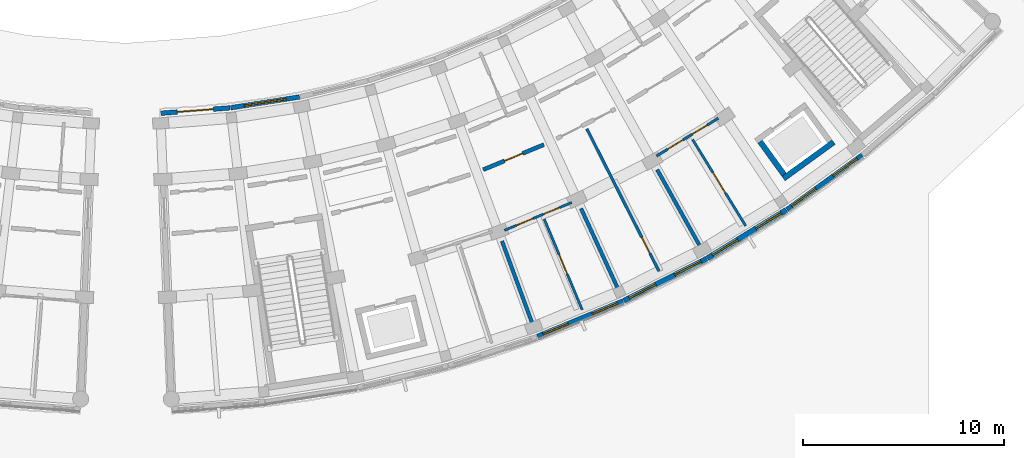
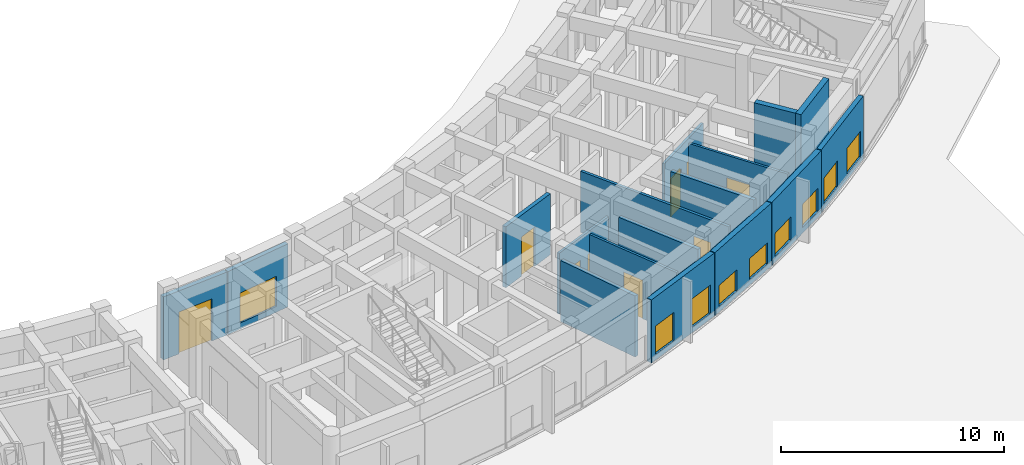
# One storey, part 43 of 61: 17 walls, 9 doors, 9 windows, 18 openings.
"""IFC4 building model written with IfcOpenShell, lengths in metres."""

from ifc_helpers import new_model, si_unit, direction, frame, frame_2d, origin, place, context, subcontext, project, spatial, rectangle, extrude, material, layer, layer_set, type_object, element, fill, save


model = new_model("IFC4")

# Units and contexts
model_context = context("Model", 3, precision=1e-05, world=origin(), true_north=direction((0.0, 1.0)))
body_context = subcontext(model_context, "Body", "Model", "MODEL_VIEW")
ifc_project = project(units=[si_unit("LENGTHUNIT", "METRE"), si_unit("AREAUNIT", "SQUARE_METRE"), si_unit("VOLUMEUNIT", "CUBIC_METRE"), si_unit("PLANEANGLEUNIT", "RADIAN"), si_unit("MASSUNIT", "GRAM", prefix="KILO")], contexts=[model_context])

# Site, building, storey
site_placement = place(None, origin())
site = spatial("IfcSite", under=ifc_project, at=site_placement, CompositionType="ELEMENT")
building_placement = place(site_placement, origin())
building = spatial("IfcBuilding", under=site, at=building_placement, Name="Zimvara Arc Housing Community", CompositionType="ELEMENT")
storey_placement = place(building_placement, origin())
storey = spatial("IfcBuildingStorey", under=building, at=storey_placement, Name="L00", CompositionType="ELEMENT", Elevation=0.0)

# Wall, opening, door
ifc_material_1 = material(Name="Board-Marked Fair-Faced Concrete C35/45", Category="concrete")
ifc_layer_1 = layer(ifc_material_1, 0.22998046875)
ifc_layer_set_1 = layer_set([ifc_layer_1], Name="Board-Marked Fair-Faced Concrete C35/45")
wall_type_1 = type_object("IfcWallType", Name="EWL-CONC-230", PredefinedType="SOLIDWALL", material=ifc_layer_set_1)
wall_1_placement = place(storey_placement, frame((127.712890625, 65.2744140625, 0.0), z_axis=(0.0, 0.0, 1.0), x_axis=(0.99698399587, 0.07760742219, 0.0)))
wall_1 = element("IfcWall", 1, at=wall_1_placement, inside=storey, type_object=wall_type_1, Name="ewall:blkD:L00:in:b0", PredefinedType="SOLIDWALL", context=body_context, shape_type="SweptSolid", body=[
    extrude(rectangle(XDim=3.463623046875, YDim=0.22998046875, at=frame_2d((1.73193359375, 0.0))), origin(), (0.0, 0.0, 1.0), 3.449951171875),
])
opening_1_placement = place(wall_1_placement, frame((0.831787109375, 0.0, 0.0)))
opening_1 = element("IfcOpeningElement", 2, at=opening_1_placement, cuts=wall_1, Name="Opening ED02", PredefinedType="OPENING", context=body_context, shape_type="SweptSolid", body=[
    extrude(rectangle(XDim=1.800048828125, YDim=2.300048828125, at=frame_2d((0.89990234375, 1.14990234375))), frame((0.0, 0.125, 0.0), z_axis=(0.0, -1.0, 0.0), x_axis=(1.0, 0.0, 0.0)), (0.0, 0.0, 1.0), 0.25),
])
ifc_material_2 = material(Name="Anodised Aluminium AW-6063", Category="aluminium")
door_type_1 = type_object("IfcDoorType", Name="EDR-EXIT-1800x2300", OperationType="DOUBLE_DOOR_SINGLE_SWING", PredefinedType="DOOR", material=ifc_material_2)
door_1_placement = place(opening_1_placement, origin())
door_1 = element("IfcDoor", 3, at=door_1_placement, inside=storey, type_object=door_type_1, Name="edoor:blkD:L00:lobby", OperationType="DOUBLE_DOOR_SINGLE_SWING", OverallHeight=2.300048828125, OverallWidth=1.800048828125, PredefinedType="DOOR", context=body_context, shape_type="SweptSolid", body=[
    extrude(rectangle(XDim=1.800048828125, YDim=2.300048828125, at=frame_2d((0.89990234375, 1.14990234375))), frame((0.0, 0.02490234375, 0.0), z_axis=(0.0, -1.0, 0.0), x_axis=(1.0, 0.0, 0.0)), (0.0, 0.0, 1.0), 0.050048828125),
])
fill(opening_1, door_1)

# Wall, opening, window
wall_2_placement = place(storey_placement, frame((131.20556640625, 65.5478515625, 0.0), z_axis=(0.0, 0.0, 1.0), x_axis=(0.987825183084, 0.155568016203, 0.0)))
wall_2 = element("IfcWall", 4, at=wall_2_placement, inside=storey, type_object=wall_type_1, Name="ewall:blkD:L00:in:b1", PredefinedType="SOLIDWALL", context=body_context, shape_type="SweptSolid", body=[
    extrude(rectangle(XDim=3.463623046875, YDim=0.22998046875, at=frame_2d((1.73193359375, 0.0))), origin(), (0.0, 0.0, 1.0), 3.449951171875),
])
opening_2_placement = place(wall_2_placement, frame((0.681884765625, 0.0, 0.320068359375)))
opening_2 = element("IfcOpeningElement", 5, at=opening_2_placement, cuts=wall_2, Name="Opening W09", PredefinedType="OPENING", context=body_context, shape_type="SweptSolid", body=[
    extrude(rectangle(XDim=2.10009765625, YDim=1.64990234375, at=frame_2d((1.050048828125, 0.824951171875))), frame((0.0, 0.125, 0.0), z_axis=(0.0, -1.0, 0.0), x_axis=(1.0, 0.0, 0.0)), (0.0, 0.0, 1.0), 0.25),
])
ifc_material_3 = material(Name="Solar Control Low-E Double Glazing", Category="glass")
window_type_1 = type_object("IfcWindowType", Name="WIN-RES-2100x1650", PartitioningType="TRIPLE_PANEL_VERTICAL", PredefinedType="WINDOW", material=ifc_material_3)
window_1_placement = place(opening_2_placement, origin())
window_1 = element("IfcWindow", 6, at=window_1_placement, inside=storey, type_object=window_type_1, Name="win:blkD:L00:in:b1", OverallHeight=1.64990234375, OverallWidth=2.10009765625, PartitioningType="TRIPLE_PANEL_VERTICAL", PredefinedType="WINDOW", context=body_context, shape_type="SweptSolid", body=[
    extrude(rectangle(XDim=2.10009765625, YDim=1.64990234375, at=frame_2d((1.050048828125, 0.824951171875))), frame((0.0, 0.030029296875, 0.0), z_axis=(0.0, -1.0, 0.0), x_axis=(1.0, 0.0, 0.0)), (0.0, 0.0, 1.0), 0.06005859375),
])
fill(opening_2, window_1)

# Wall, openings, windows
ifc_material_4 = material(Name="Board-Marked Fair-Faced Concrete C35/45", Category="concrete")
ifc_layer_2 = layer(ifc_material_4, 0.2548828125)
ifc_layer_set_2 = layer_set([ifc_layer_2], Name="Board-Marked Fair-Faced Concrete C35/45")
wall_type_2 = type_object("IfcWallType", Name="EWL-CONC-255", PredefinedType="SOLIDWALL", material=ifc_layer_set_2)
wall_3_placement = place(storey_placement, frame((146.502197265625, 54.139892578125, 0.0), z_axis=(0.0, 0.0, 1.0), x_axis=(0.924221313894, 0.381857254669, 0.0)))
wall_3 = element("IfcWall", 7, at=wall_3_placement, inside=storey, type_object=wall_type_2, Name="ewall:blkD:L00:out:b4", PredefinedType="SOLIDWALL", context=body_context, shape_type="SweptSolid", body=[
    extrude(rectangle(XDim=4.62255859375, YDim=0.2548828125, at=frame_2d((2.311279296875, 0.0))), origin(), (0.0, 0.0, 1.0), 3.449951171875),
])
opening_3_placement = place(wall_3_placement, frame((0.300048828125, 0.0, 0.300048828125)))
opening_3 = element("IfcOpeningElement", 8, at=opening_3_placement, cuts=wall_3, Name="Opening W44", PredefinedType="OPENING", context=body_context, shape_type="SweptSolid", body=[
    extrude(rectangle(XDim=1.360107421875, YDim=1.56005859375, at=frame_2d((0.68017578125, 0.780029296875))), frame((0.0, 0.137451171875, 0.0), z_axis=(0.0, -1.0, 0.0), x_axis=(1.0, 0.0, 0.0)), (0.0, 0.0, 1.0), 0.27490234375),
])
opening_4_placement = place(wall_3_placement, frame((2.96240234375, 0.0, 0.300048828125)))
opening_4 = element("IfcOpeningElement", 9, at=opening_4_placement, cuts=wall_3, Name="Opening W44", PredefinedType="OPENING", context=body_context, shape_type="SweptSolid", body=[
    extrude(rectangle(XDim=1.360107421875, YDim=1.56005859375, at=frame_2d((0.68017578125, 0.780029296875))), frame((0.0, 0.137451171875, 0.0), z_axis=(0.0, -1.0, 0.0), x_axis=(1.0, 0.0, 0.0)), (0.0, 0.0, 1.0), 0.27490234375),
])
ifc_material_5 = material(Name="Solar Control Low-E Double Glazing", Category="glass")
window_type_2 = type_object("IfcWindowType", Name="WIN-MOD-1360x1560", PartitioningType="DOUBLE_PANEL_VERTICAL", PredefinedType="WINDOW", material=ifc_material_5)
window_2_placement = place(opening_3_placement, origin())
window_2 = element("IfcWindow", 10, at=window_2_placement, inside=storey, type_object=window_type_2, Name="win:blkD:L00:out:b4:1", OverallHeight=1.56005859375, OverallWidth=1.360107421875, PartitioningType="DOUBLE_PANEL_VERTICAL", PredefinedType="WINDOW", context=body_context, shape_type="SweptSolid", body=[
    extrude(rectangle(XDim=1.360107421875, YDim=1.56005859375, at=frame_2d((0.68017578125, 0.780029296875))), frame((0.0, 0.030029296875, 0.0), z_axis=(0.0, -1.0, 0.0), x_axis=(1.0, 0.0, 0.0)), (0.0, 0.0, 1.0), 0.06005859375),
])
fill(opening_3, window_2)
window_3_placement = place(opening_4_placement, origin())
window_3 = element("IfcWindow", 11, at=window_3_placement, inside=storey, type_object=window_type_2, Name="win:blkD:L00:out:b4:2", OverallHeight=1.56005859375, OverallWidth=1.360107421875, PartitioningType="DOUBLE_PANEL_VERTICAL", PredefinedType="WINDOW", context=body_context, shape_type="SweptSolid", body=[
    extrude(rectangle(XDim=1.360107421875, YDim=1.56005859375, at=frame_2d((0.68017578125, 0.780029296875))), frame((0.0, 0.030029296875, 0.0), z_axis=(0.0, -1.0, 0.0), x_axis=(1.0, 0.0, 0.0)), (0.0, 0.0, 1.0), 0.06005859375),
])
fill(opening_4, window_3)

ifc_material_6 = material(Name="Board-Marked Fair-Faced Concrete C35/45", Category="concrete")
ifc_layer_3 = layer(ifc_material_6, 0.264892578125)
ifc_layer_set_3 = layer_set([ifc_layer_3], Name="Board-Marked Fair-Faced Concrete C35/45")
wall_type_3 = type_object("IfcWallType", Name="EWL-CONC-265", PredefinedType="SOLIDWALL", material=ifc_layer_set_3)
wall_4_placement = place(storey_placement, frame((150.810791015625, 55.921875, 0.0), z_axis=(0.0, 0.0, 1.0), x_axis=(0.891407190547, 0.453203288428, 0.0)))
wall_4 = element("IfcWall", 12, at=wall_4_placement, inside=storey, type_object=wall_type_3, Name="ewall:blkD:L00:out:b5", PredefinedType="SOLIDWALL", context=body_context, shape_type="SweptSolid", body=[
    extrude(rectangle(XDim=4.62255859375, YDim=0.264892578125, at=frame_2d((2.311279296875, 0.0))), origin(), (0.0, 0.0, 1.0), 3.449951171875),
])
opening_5_placement = place(wall_4_placement, frame((0.300048828125, 0.0, 0.300048828125)))
opening_5 = element("IfcOpeningElement", 13, at=opening_5_placement, cuts=wall_4, Name="Opening W45", PredefinedType="OPENING", context=body_context, shape_type="SweptSolid", body=[
    extrude(rectangle(XDim=1.47998046875, YDim=1.159912109375, at=frame_2d((0.739990234375, 0.580078125))), frame((0.0, 0.142333984375, 0.0), z_axis=(0.0, -1.0, 0.0), x_axis=(1.0, 0.0, 0.0)), (0.0, 0.0, 1.0), 0.284912109375),
])
opening_6_placement = place(wall_4_placement, frame((2.842529296875, 0.0, 0.300048828125)))
opening_6 = element("IfcOpeningElement", 14, at=opening_6_placement, cuts=wall_4, Name="Opening W45", PredefinedType="OPENING", context=body_context, shape_type="SweptSolid", body=[
    extrude(rectangle(XDim=1.47998046875, YDim=1.159912109375, at=frame_2d((0.739990234375, 0.580078125))), frame((0.0, 0.142333984375, 0.0), z_axis=(0.0, -1.0, 0.0), x_axis=(1.0, 0.0, 0.0)), (0.0, 0.0, 1.0), 0.284912109375),
])
ifc_material_7 = material(Name="Solar Control Low-E Double Glazing", Category="glass")
window_type_3 = type_object("IfcWindowType", Name="WIN-MOD-1480x1160", PartitioningType="DOUBLE_PANEL_VERTICAL", PredefinedType="WINDOW", material=ifc_material_7)
window_4_placement = place(opening_5_placement, origin())
window_4 = element("IfcWindow", 15, at=window_4_placement, inside=storey, type_object=window_type_3, Name="win:blkD:L00:out:b5:1", OverallHeight=1.159912109375, OverallWidth=1.47998046875, PartitioningType="DOUBLE_PANEL_VERTICAL", PredefinedType="WINDOW", context=body_context, shape_type="SweptSolid", body=[
    extrude(rectangle(XDim=1.47998046875, YDim=1.159912109375, at=frame_2d((0.739990234375, 0.580078125))), frame((0.0, 0.030029296875, 0.0), z_axis=(0.0, -1.0, 0.0), x_axis=(1.0, 0.0, 0.0)), (0.0, 0.0, 1.0), 0.06005859375),
])
fill(opening_5, window_4)
window_5_placement = place(opening_6_placement, origin())
window_5 = element("IfcWindow", 16, at=window_5_placement, inside=storey, type_object=window_type_3, Name="win:blkD:L00:out:b5:2", OverallHeight=1.159912109375, OverallWidth=1.47998046875, PartitioningType="DOUBLE_PANEL_VERTICAL", PredefinedType="WINDOW", context=body_context, shape_type="SweptSolid", body=[
    extrude(rectangle(XDim=1.47998046875, YDim=1.159912109375, at=frame_2d((0.739990234375, 0.580078125))), frame((0.0, 0.030029296875, 0.0), z_axis=(0.0, -1.0, 0.0), x_axis=(1.0, 0.0, 0.0)), (0.0, 0.0, 1.0), 0.06005859375),
])
fill(opening_6, window_5)

ifc_material_8 = material(Name="Board-Marked Fair-Faced Concrete C40/50", Category="concrete")
ifc_layer_4 = layer(ifc_material_8, 0.27490234375)
ifc_layer_set_4 = layer_set([ifc_layer_4], Name="Board-Marked Fair-Faced Concrete C40/50")
wall_type_4 = type_object("IfcWallType", Name="EWL-CONC-275", PredefinedType="SOLIDWALL", material=ifc_layer_set_4)
wall_5_placement = place(storey_placement, frame((154.966064453125, 58.036376953125, 0.0), z_axis=(0.0, 0.0, 1.0), x_axis=(0.853100316352, 0.521746921639, 0.0)))
wall_5 = element("IfcWall", 17, at=wall_5_placement, inside=storey, type_object=wall_type_4, Name="ewall:blkD:L00:out:b6", PredefinedType="SOLIDWALL", context=body_context, shape_type="SweptSolid", body=[
    extrude(rectangle(XDim=4.62255859375, YDim=0.27490234375, at=frame_2d((2.311279296875, 0.0))), origin(), (0.0, 0.0, 1.0), 3.449951171875),
])
opening_7_placement = place(wall_5_placement, frame((0.300048828125, 0.0, 0.300048828125)))
opening_7 = element("IfcOpeningElement", 18, at=opening_7_placement, cuts=wall_5, Name="Opening W46", PredefinedType="OPENING", context=body_context, shape_type="SweptSolid", body=[
    extrude(rectangle(XDim=1.47998046875, YDim=1.280029296875, at=frame_2d((0.739990234375, 0.64013671875))), frame((0.0, 0.1474609375, 0.0), z_axis=(0.0, -1.0, 0.0), x_axis=(1.0, 0.0, 0.0)), (0.0, 0.0, 1.0), 0.294921875),
])
opening_8_placement = place(wall_5_placement, frame((2.842529296875, 0.0, 0.300048828125)))
opening_8 = element("IfcOpeningElement", 19, at=opening_8_placement, cuts=wall_5, Name="Opening W46", PredefinedType="OPENING", context=body_context, shape_type="SweptSolid", body=[
    extrude(rectangle(XDim=1.47998046875, YDim=1.280029296875, at=frame_2d((0.739990234375, 0.64013671875))), frame((0.0, 0.1474609375, 0.0), z_axis=(0.0, -1.0, 0.0), x_axis=(1.0, 0.0, 0.0)), (0.0, 0.0, 1.0), 0.294921875),
])
ifc_material_9 = material(Name="Solar Control Low-E Double Glazing", Category="glass")
window_type_4 = type_object("IfcWindowType", Name="WIN-MOD-1480x1280", PartitioningType="DOUBLE_PANEL_VERTICAL", PredefinedType="WINDOW", material=ifc_material_9)
window_6_placement = place(opening_7_placement, origin())
window_6 = element("IfcWindow", 20, at=window_6_placement, inside=storey, type_object=window_type_4, Name="win:blkD:L00:out:b6:1", OverallHeight=1.280029296875, OverallWidth=1.47998046875, PartitioningType="DOUBLE_PANEL_VERTICAL", PredefinedType="WINDOW", context=body_context, shape_type="SweptSolid", body=[
    extrude(rectangle(XDim=1.47998046875, YDim=1.280029296875, at=frame_2d((0.739990234375, 0.64013671875))), frame((0.0, 0.030029296875, 0.0), z_axis=(0.0, -1.0, 0.0), x_axis=(1.0, 0.0, 0.0)), (0.0, 0.0, 1.0), 0.06005859375),
])
fill(opening_7, window_6)
window_7_placement = place(opening_8_placement, origin())
window_7 = element("IfcWindow", 21, at=window_7_placement, inside=storey, type_object=window_type_4, Name="win:blkD:L00:out:b6:2", OverallHeight=1.280029296875, OverallWidth=1.47998046875, PartitioningType="DOUBLE_PANEL_VERTICAL", PredefinedType="WINDOW", context=body_context, shape_type="SweptSolid", body=[
    extrude(rectangle(XDim=1.47998046875, YDim=1.280029296875, at=frame_2d((0.739990234375, 0.64013671875))), frame((0.0, 0.030029296875, 0.0), z_axis=(0.0, -1.0, 0.0), x_axis=(1.0, 0.0, 0.0)), (0.0, 0.0, 1.0), 0.06005859375),
])
fill(opening_8, window_7)

ifc_material_10 = material(Name="Pigmented Fair-Faced Concrete C35/45", Category="concrete")
ifc_layer_5 = layer(ifc_material_10, 0.235107421875)
ifc_layer_set_5 = layer_set([ifc_layer_5], Name="Pigmented Fair-Faced Concrete C35/45")
wall_type_5 = type_object("IfcWallType", Name="EWL-PIGM-235", PredefinedType="SOLIDWALL", material=ifc_layer_set_5)
wall_6_placement = place(storey_placement, frame((158.94287109375, 60.47021484375, 0.0), z_axis=(0.0, 0.0, 1.0), x_axis=(0.809511918444, 0.58710344395, 0.0)))
wall_6 = element("IfcWall", 22, at=wall_6_placement, inside=storey, type_object=wall_type_5, Name="ewall:blkD:L00:out:b7", PredefinedType="SOLIDWALL", context=body_context, shape_type="SweptSolid", body=[
    extrude(rectangle(XDim=4.62255859375, YDim=0.235107421875, at=frame_2d((2.311279296875, 0.0))), origin(), (0.0, 0.0, 1.0), 3.449951171875),
])
opening_9_placement = place(wall_6_placement, frame((0.300048828125, 0.0, 0.300048828125)))
opening_9 = element("IfcOpeningElement", 23, at=opening_9_placement, cuts=wall_6, Name="Opening W47", PredefinedType="OPENING", context=body_context, shape_type="SweptSolid", body=[
    extrude(rectangle(XDim=1.47998046875, YDim=1.419921875, at=frame_2d((0.739990234375, 0.7099609375))), frame((0.0, 0.12744140625, 0.0), z_axis=(0.0, -1.0, 0.0), x_axis=(1.0, 0.0, 0.0)), (0.0, 0.0, 1.0), 0.255126953125),
])
opening_10_placement = place(wall_6_placement, frame((2.842529296875, 0.0, 0.300048828125)))
opening_10 = element("IfcOpeningElement", 24, at=opening_10_placement, cuts=wall_6, Name="Opening W47", PredefinedType="OPENING", context=body_context, shape_type="SweptSolid", body=[
    extrude(rectangle(XDim=1.47998046875, YDim=1.419921875, at=frame_2d((0.739990234375, 0.7099609375))), frame((0.0, 0.12744140625, 0.0), z_axis=(0.0, -1.0, 0.0), x_axis=(1.0, 0.0, 0.0)), (0.0, 0.0, 1.0), 0.255126953125),
])
ifc_material_11 = material(Name="Solar Control Low-E Double Glazing", Category="glass")
window_type_5 = type_object("IfcWindowType", Name="WIN-MOD-1480x1420", PartitioningType="DOUBLE_PANEL_VERTICAL", PredefinedType="WINDOW", material=ifc_material_11)
window_8_placement = place(opening_9_placement, origin())
window_8 = element("IfcWindow", 25, at=window_8_placement, inside=storey, type_object=window_type_5, Name="win:blkD:L00:out:b7:1", OverallHeight=1.419921875, OverallWidth=1.47998046875, PartitioningType="DOUBLE_PANEL_VERTICAL", PredefinedType="WINDOW", context=body_context, shape_type="SweptSolid", body=[
    extrude(rectangle(XDim=1.47998046875, YDim=1.419921875, at=frame_2d((0.739990234375, 0.7099609375))), frame((0.0, 0.030029296875, 0.0), z_axis=(0.0, -1.0, 0.0), x_axis=(1.0, 0.0, 0.0)), (0.0, 0.0, 1.0), 0.06005859375),
])
fill(opening_9, window_8)
window_9_placement = place(opening_10_placement, origin())
window_9 = element("IfcWindow", 26, at=window_9_placement, inside=storey, type_object=window_type_5, Name="win:blkD:L00:out:b7:2", OverallHeight=1.419921875, OverallWidth=1.47998046875, PartitioningType="DOUBLE_PANEL_VERTICAL", PredefinedType="WINDOW", context=body_context, shape_type="SweptSolid", body=[
    extrude(rectangle(XDim=1.47998046875, YDim=1.419921875, at=frame_2d((0.739990234375, 0.7099609375))), frame((0.0, 0.030029296875, 0.0), z_axis=(0.0, -1.0, 0.0), x_axis=(1.0, 0.0, 0.0)), (0.0, 0.0, 1.0), 0.06005859375),
])
fill(opening_10, window_9)

# Wall, opening, door
ifc_material_12 = material(Name="Concrete C35/45", Category="concrete")
ifc_layer_6 = layer(ifc_material_12, 0.199951171875)
ifc_layer_set_6 = layer_set([ifc_layer_6], Name="Concrete C35/45")
wall_type_6 = type_object("IfcWallType", Name="IWL-CORR-200", PredefinedType="SOLIDWALL", material=ifc_layer_set_6)
wall_7_placement = place(storey_placement, frame((143.792724609375, 62.458984375, 0.0), z_axis=(0.0, 0.0, 1.0), x_axis=(0.924214561665, 0.381873596896, 0.0)))
wall_7 = element("IfcWall", 27, at=wall_7_placement, inside=storey, type_object=wall_type_6, Name="iwall:blkD:L00:corr_out:b4", PredefinedType="SOLIDWALL", context=body_context, shape_type="SweptSolid", body=[
    extrude(rectangle(XDim=3.277099609375, YDim=0.199951171875, at=frame_2d((1.638671875, 0.0))), origin(), (0.0, 0.0, 1.0), 3.340087890625),
])
opening_11_placement = place(wall_7_placement, frame((1.1484375, 0.0, 0.0)))
opening_11 = element("IfcOpeningElement", 28, at=opening_11_placement, cuts=wall_7, Name="Opening FD-FL1", PredefinedType="OPENING", context=body_context, shape_type="SweptSolid", body=[
    extrude(rectangle(XDim=0.97998046875, YDim=2.14990234375, at=frame_2d((0.489990234375, 1.074951171875))), frame((0.0, 0.10986328125, 0.0), z_axis=(0.0, -1.0, 0.0), x_axis=(1.0, 0.0, 0.0)), (0.0, 0.0, 1.0), 0.219970703125),
])
ifc_material_13 = material(Name="Mozambican Hardwood", Category="wood")
door_type_2 = type_object("IfcDoorType", Name="IDR-FLAT-0980x2150", OperationType="NOTDEFINED", PredefinedType="DOOR", material=ifc_material_13)
door_2_placement = place(opening_11_placement, origin())
door_2 = element("IfcDoor", 29, at=door_2_placement, inside=storey, type_object=door_type_2, Name="idoor:blkD:L00:flat:b4", OperationType="SINGLE_SWING_LEFT", OverallHeight=2.14990234375, OverallWidth=0.97998046875, PredefinedType="DOOR", context=body_context, shape_type="SweptSolid", body=[
    extrude(rectangle(XDim=0.97998046875, YDim=2.14990234375, at=frame_2d((0.489990234375, 1.074951171875))), frame((0.0, 0.02490234375, 0.0), z_axis=(0.0, -1.0, 0.0), x_axis=(1.0, 0.0, 0.0)), (0.0, 0.0, 1.0), 0.050048828125),
])
fill(opening_11, door_2)

# Walls
ifc_material_14 = material(Name="Concrete C35/45", Category="concrete")
ifc_layer_7 = layer(ifc_material_14, 0.18505859375)
ifc_layer_set_7 = layer_set([ifc_layer_7], Name="Concrete C35/45")
wall_type_7 = type_object("IfcWallType", Name="IWL-FLAT-185", PredefinedType="SOLIDWALL", material=ifc_layer_set_7)
for number, where, z_axis, x_axis, name in (
    (30, (144.729736328125, 58.89990234375, 0.0), (0.0, 0.0, 1.0), (0.345273579683, -0.938502080537, 0.0), "iwall:blkD:L00:party:b4"),
    (31, (148.670166015625, 60.528076171875, 0.0), (0.0, 0.0, 1.0), (0.417837051164, -0.908521985796, 0.0), "iwall:blkD:L00:party:b5"),
    (32, (152.470703125, 62.46044921875, 0.0), (0.0, 0.0, 1.0), (0.487866639184, -0.872918176218, 0.0), "iwall:blkD:L00:party:b6"),
):
    element("IfcWall", number, at=place(storey_placement, frame(where, z_axis=z_axis, x_axis=x_axis)), inside=storey, type_object=wall_type_7, Name=name, PredefinedType="SOLIDWALL", context=body_context, shape_type="SweptSolid", body=[
        extrude(rectangle(XDim=4.35009765625, YDim=0.18505859375, at=frame_2d((2.175048828125, 0.0))), origin(), (0.0, 0.0, 1.0), 3.340087890625),
    ])

# Wall, openings, doors
ifc_material_15 = material(Name="Painted Acoustic Plasterboard")
ifc_layer_8 = layer(ifc_material_15, 0.1201171875)
ifc_layer_set_8 = layer_set([ifc_layer_8], Name="Painted Acoustic Plasterboard")
wall_type_8 = type_object("IfcWallType", Name="IWL-PART-120", PredefinedType="PARTITIONING", material=ifc_layer_set_8)
wall_8_placement = place(storey_placement, frame((144.8515625, 59.436767578125, 0.0), z_axis=(0.0, 0.0, 1.0), x_axis=(0.924217547919, 0.381866369453, 0.0)))
wall_8 = element("IfcWall", 33, at=wall_8_placement, inside=storey, type_object=wall_type_8, Name="iwall:blkD:L00:srv:b4", PredefinedType="PARTITIONING", context=body_context, shape_type="SweptSolid", body=[
    extrude(rectangle(XDim=3.628173828125, YDim=0.1201171875, at=frame_2d((1.81396484375, 0.0))), origin(), (0.0, 0.0, 1.0), 3.340087890625),
])
opening_12_placement = place(wall_8_placement, frame((0.64990234375, 0.0, 0.0)))
opening_12 = element("IfcOpeningElement", 34, at=opening_12_placement, cuts=wall_8, Name="Opening D01", PredefinedType="OPENING", context=body_context, shape_type="SweptSolid", body=[
    extrude(rectangle(XDim=0.89990234375, YDim=2.10009765625, at=frame_2d((0.449951171875, 1.050048828125))), frame((0.0, 0.070068359375, 0.0), z_axis=(0.0, -1.0, 0.0), x_axis=(1.0, 0.0, 0.0)), (0.0, 0.0, 1.0), 0.14013671875),
])
opening_13_placement = place(wall_8_placement, frame((2.098388671875, 0.0, 0.0)))
opening_13 = element("IfcOpeningElement", 35, at=opening_13_placement, cuts=wall_8, Name="Opening D05", PredefinedType="OPENING", context=body_context, shape_type="SweptSolid", body=[
    extrude(rectangle(XDim=0.8798828125, YDim=2.10009765625, at=frame_2d((0.43994140625, 1.050048828125))), frame((0.0, 0.070068359375, 0.0), z_axis=(0.0, -1.0, 0.0), x_axis=(1.0, 0.0, 0.0)), (0.0, 0.0, 1.0), 0.14013671875),
])
ifc_material_16 = material(Name="Mozambican Hardwood", Category="wood")
door_type_3 = type_object("IfcDoorType", Name="IDR-RM-0900x2100", OperationType="NOTDEFINED", PredefinedType="DOOR", material=ifc_material_16)
door_3_placement = place(opening_12_placement, origin())
door_3 = element("IfcDoor", 36, at=door_3_placement, inside=storey, type_object=door_type_3, Name="idoor:blkD:L00:kit_liv:b4", OperationType="SINGLE_SWING_RIGHT", OverallHeight=2.10009765625, OverallWidth=0.89990234375, PredefinedType="DOOR", context=body_context, shape_type="SweptSolid", body=[
    extrude(rectangle(XDim=0.89990234375, YDim=2.10009765625, at=frame_2d((0.449951171875, 1.050048828125))), frame((0.0, 0.02490234375, 0.0), z_axis=(0.0, -1.0, 0.0), x_axis=(1.0, 0.0, 0.0)), (0.0, 0.0, 1.0), 0.050048828125),
])
fill(opening_12, door_3)
ifc_material_17 = material(Name="Mozambican Hardwood", Category="wood")
door_type_4 = type_object("IfcDoorType", Name="IDR-WC-0880x2100", OperationType="NOTDEFINED", PredefinedType="DOOR", material=ifc_material_17)
door_4_placement = place(opening_13_placement, origin())
door_4 = element("IfcDoor", 37, at=door_4_placement, inside=storey, type_object=door_type_4, Name="idoor:blkD:L00:bath_d:b4", OperationType="SINGLE_SWING_LEFT", OverallHeight=2.10009765625, OverallWidth=0.8798828125, PredefinedType="DOOR", context=body_context, shape_type="SweptSolid", body=[
    extrude(rectangle(XDim=0.8798828125, YDim=2.10009765625, at=frame_2d((0.43994140625, 1.050048828125))), frame((0.0, 0.02490234375, 0.0), z_axis=(0.0, -1.0, 0.0), x_axis=(1.0, 0.0, 0.0)), (0.0, 0.0, 1.0), 0.050048828125),
])
fill(opening_13, door_4)

# Wall, opening, door
wall_9_placement = place(storey_placement, frame((146.8369140625, 59.996337890625, 0.0), z_axis=(0.0, 0.0, 1.0), x_axis=(0.385846225752, -0.922563108992, 0.0)))
wall_9 = element("IfcWall", 38, at=wall_9_placement, inside=storey, type_object=wall_type_8, Name="iwall:blkD:L00:bed_div:b4", PredefinedType="PARTITIONING", context=body_context, shape_type="SweptSolid", body=[
    extrude(rectangle(XDim=4.89990234375, YDim=0.1201171875, at=frame_2d((2.449951171875, 0.0))), origin(), (0.0, 0.0, 1.0), 3.340087890625),
])
opening_14_placement = place(wall_9_placement, frame((1.919921875, 0.0, 0.0)))
opening_14 = element("IfcOpeningElement", 39, at=opening_14_placement, cuts=wall_9, Name="Opening D16", PredefinedType="OPENING", context=body_context, shape_type="SweptSolid", body=[
    extrude(rectangle(XDim=1.06005859375, YDim=2.10009765625, at=frame_2d((0.530029296875, 1.050048828125))), frame((0.0, 0.070068359375, 0.0), z_axis=(0.0, -1.0, 0.0), x_axis=(1.0, 0.0, 0.0)), (0.0, 0.0, 1.0), 0.14013671875),
])
ifc_material_18 = material(Name="Mozambican Hardwood", Category="wood")
door_type_5 = type_object("IfcDoorType", Name="IDR-MOD-1060x2220", OperationType="NOTDEFINED", PredefinedType="DOOR", material=ifc_material_18)
door_5_placement = place(opening_14_placement, origin())
door_5 = element("IfcDoor", 40, at=door_5_placement, inside=storey, type_object=door_type_5, Name="idoor:blkD:L00:bed_d:b4", OperationType="SINGLE_SWING_RIGHT", OverallHeight=2.10009765625, OverallWidth=1.06005859375, PredefinedType="DOOR", context=body_context, shape_type="SweptSolid", body=[
    extrude(rectangle(XDim=1.06005859375, YDim=2.10009765625, at=frame_2d((0.530029296875, 1.050048828125))), frame((0.0, 0.02490234375, 0.0), z_axis=(0.0, -1.0, 0.0), x_axis=(1.0, 0.0, 0.0)), (0.0, 0.0, 1.0), 0.050048828125),
])
fill(opening_14, door_5)

wall_10_placement = place(storey_placement, frame((154.2353515625, 63.959716796875, 0.0), z_axis=(0.0, 0.0, 1.0), x_axis=(0.524202618281, -0.851593573829, 0.0)))
wall_10 = element("IfcWall", 41, at=wall_10_placement, inside=storey, type_object=wall_type_8, Name="iwall:blkD:L00:bed_div:b6", PredefinedType="PARTITIONING", context=body_context, shape_type="SweptSolid", body=[
    extrude(rectangle(XDim=5.050048828125, YDim=0.1201171875, at=frame_2d((2.52490234375, 0.0))), origin(), (0.0, 0.0, 1.0), 3.340087890625),
])
opening_15_placement = place(wall_10_placement, frame((1.93505859375, 0.0, 0.0)))
opening_15 = element("IfcOpeningElement", 42, at=opening_15_placement, cuts=wall_10, Name="Opening D18", PredefinedType="OPENING", context=body_context, shape_type="SweptSolid", body=[
    extrude(rectangle(XDim=1.179931640625, YDim=2.10009765625, at=frame_2d((0.58984375, 1.050048828125))), frame((0.0, 0.070068359375, 0.0), z_axis=(0.0, -1.0, 0.0), x_axis=(1.0, 0.0, 0.0)), (0.0, 0.0, 1.0), 0.14013671875),
])
ifc_material_19 = material(Name="Mozambican Hardwood", Category="wood")
door_type_6 = type_object("IfcDoorType", Name="IDR-MOD-1180x2120", OperationType="NOTDEFINED", PredefinedType="DOOR", material=ifc_material_19)
door_6_placement = place(opening_15_placement, origin())
door_6 = element("IfcDoor", 43, at=door_6_placement, inside=storey, type_object=door_type_6, Name="idoor:blkD:L00:bed_d:b6", OperationType="SINGLE_SWING_RIGHT", OverallHeight=2.10009765625, OverallWidth=1.179931640625, PredefinedType="DOOR", context=body_context, shape_type="SweptSolid", body=[
    extrude(rectangle(XDim=1.179931640625, YDim=2.10009765625, at=frame_2d((0.58984375, 1.050048828125))), frame((0.0, 0.02490234375, 0.0), z_axis=(0.0, -1.0, 0.0), x_axis=(1.0, 0.0, 0.0)), (0.0, 0.0, 1.0), 0.050048828125),
])
fill(opening_15, door_6)

# Wall, openings, doors
ifc_material_20 = material(Name="Painted Acoustic Plasterboard")
ifc_layer_9 = layer(ifc_material_20, 0.1298828125)
ifc_layer_set_9 = layer_set([ifc_layer_9], Name="Painted Acoustic Plasterboard")
wall_type_9 = type_object("IfcWallType", Name="IWL-PART-130", PredefinedType="PARTITIONING", material=ifc_layer_set_9)
wall_11_placement = place(storey_placement, frame((152.43408203125, 63.140625, 0.0), z_axis=(0.0, 0.0, 1.0), x_axis=(0.853089873067, 0.521763996909, 0.0)))
wall_11 = element("IfcWall", 44, at=wall_11_placement, inside=storey, type_object=wall_type_9, Name="iwall:blkD:L00:srv:b6", PredefinedType="PARTITIONING", context=body_context, shape_type="SweptSolid", body=[
    extrude(rectangle(XDim=3.616455078125, YDim=0.1298828125, at=frame_2d((1.80810546875, 0.0))), origin(), (0.0, 0.0, 1.0), 3.340087890625),
])
opening_16_placement = place(wall_11_placement, frame((0.64990234375, 0.0, 0.0)))
opening_16 = element("IfcOpeningElement", 45, at=opening_16_placement, cuts=wall_11, Name="Opening D01", PredefinedType="OPENING", context=body_context, shape_type="SweptSolid", body=[
    extrude(rectangle(XDim=0.89990234375, YDim=2.10009765625, at=frame_2d((0.449951171875, 1.050048828125))), frame((0.0, 0.074951171875, 0.0), z_axis=(0.0, -1.0, 0.0), x_axis=(1.0, 0.0, 0.0)), (0.0, 0.0, 1.0), 0.14990234375),
])
opening_17_placement = place(wall_11_placement, frame((2.08642578125, 0.0, 0.0)))
opening_17 = element("IfcOpeningElement", 46, at=opening_17_placement, cuts=wall_11, Name="Opening D05", PredefinedType="OPENING", context=body_context, shape_type="SweptSolid", body=[
    extrude(rectangle(XDim=0.8798828125, YDim=2.10009765625, at=frame_2d((0.43994140625, 1.050048828125))), frame((0.0, 0.074951171875, 0.0), z_axis=(0.0, -1.0, 0.0), x_axis=(1.0, 0.0, 0.0)), (0.0, 0.0, 1.0), 0.14990234375),
])
door_7_placement = place(opening_16_placement, origin())
door_7 = element("IfcDoor", 47, at=door_7_placement, inside=storey, type_object=door_type_3, Name="idoor:blkD:L00:kit_liv:b6", OperationType="SINGLE_SWING_RIGHT", OverallHeight=2.10009765625, OverallWidth=0.89990234375, PredefinedType="DOOR", context=body_context, shape_type="SweptSolid", body=[
    extrude(rectangle(XDim=0.89990234375, YDim=2.10009765625, at=frame_2d((0.449951171875, 1.050048828125))), frame((0.0, 0.02490234375, 0.0), z_axis=(0.0, -1.0, 0.0), x_axis=(1.0, 0.0, 0.0)), (0.0, 0.0, 1.0), 0.050048828125),
])
fill(opening_16, door_7)
door_8_placement = place(opening_17_placement, origin())
door_8 = element("IfcDoor", 48, at=door_8_placement, inside=storey, type_object=door_type_4, Name="idoor:blkD:L00:bath_d:b6", OperationType="SINGLE_SWING_LEFT", OverallHeight=2.10009765625, OverallWidth=0.8798828125, PredefinedType="DOOR", context=body_context, shape_type="SweptSolid", body=[
    extrude(rectangle(XDim=0.8798828125, YDim=2.10009765625, at=frame_2d((0.43994140625, 1.050048828125))), frame((0.0, 0.02490234375, 0.0), z_axis=(0.0, -1.0, 0.0), x_axis=(1.0, 0.0, 0.0)), (0.0, 0.0, 1.0), 0.050048828125),
])
fill(opening_17, door_8)

# Wall, opening, door
ifc_material_21 = material(Name="Painted Acoustic Plasterboard")
ifc_layer_10 = layer(ifc_material_21, 0.139892578125)
ifc_layer_set_10 = layer_set([ifc_layer_10], Name="Painted Acoustic Plasterboard")
wall_type_10 = type_object("IfcWallType", Name="IWL-PART-140", PredefinedType="PARTITIONING", material=ifc_layer_set_10)
wall_12_placement = place(storey_placement, frame((148.96044921875, 64.4990234375, 0.0), z_axis=(0.0, 0.0, 1.0), x_axis=(0.451912010816, -0.892062517137, 0.0)))
wall_12 = element("IfcWall", 49, at=wall_12_placement, inside=storey, type_object=wall_type_10, Name="iwall:blkD:L00:amen_div:b5", PredefinedType="PARTITIONING", context=body_context, shape_type="SweptSolid", body=[
    extrude(rectangle(XDim=7.9501953125, YDim=0.139892578125, at=frame_2d((3.97509765625, 0.0))), origin(), (0.0, 0.0, 1.0), 3.340087890625),
])
opening_18_placement = place(wall_12_placement, frame((6.050048828125, 0.0, 0.0)))
opening_18 = element("IfcOpeningElement", 50, at=opening_18_placement, cuts=wall_12, Name="Opening D02", PredefinedType="OPENING", context=body_context, shape_type="SweptSolid", body=[
    extrude(rectangle(XDim=0.919921875, YDim=2.10009765625, at=frame_2d((0.4599609375, 1.050048828125))), frame((0.0, 0.079833984375, 0.0), z_axis=(0.0, -1.0, 0.0), x_axis=(1.0, 0.0, 0.0)), (0.0, 0.0, 1.0), 0.159912109375),
])
ifc_material_22 = material(Name="Mozambican Hardwood", Category="wood")
door_type_7 = type_object("IfcDoorType", Name="IDR-RM-0920x2100", OperationType="NOTDEFINED", PredefinedType="DOOR", material=ifc_material_22)
door_9_placement = place(opening_18_placement, origin())
door_9 = element("IfcDoor", 51, at=door_9_placement, inside=storey, type_object=door_type_7, Name="idoor:blkD:L00:laund_d:b5", OperationType="SINGLE_SWING_RIGHT", OverallHeight=2.10009765625, OverallWidth=0.919921875, PredefinedType="DOOR", context=body_context, shape_type="SweptSolid", body=[
    extrude(rectangle(XDim=0.919921875, YDim=2.10009765625, at=frame_2d((0.4599609375, 1.050048828125))), frame((0.0, 0.02490234375, 0.0), z_axis=(0.0, -1.0, 0.0), x_axis=(1.0, 0.0, 0.0)), (0.0, 0.0, 1.0), 0.050048828125),
])
fill(opening_18, door_9)

# Walls
ifc_material_23 = material(Name="Concrete C40/50", Category="concrete")
ifc_layer_11 = layer(ifc_material_23, 0.280029296875)
ifc_layer_set_11 = layer_set([ifc_layer_11], Name="Concrete C40/50")
wall_type_11 = type_object("IfcWallType", Name="WL-CORE-280", PredefinedType="SHEAR", material=ifc_layer_set_11)
wall_13_placement = place(storey_placement, frame((158.76513671875, 62.0205078125, 0.0), z_axis=(0.0, 0.0, 1.0), x_axis=(0.809548485838, 0.587053020669, 0.0)))
element("IfcWall", 52, at=wall_13_placement, inside=storey, type_object=wall_type_11, Name="lwall:LP-D2:L00:back", PredefinedType="SHEAR", context=body_context, shape_type="SweptSolid", body=[
    extrude(rectangle(XDim=3.08984375, YDim=0.280029296875, at=frame_2d((1.544921875, 0.0))), origin(), (0.0, 0.0, 1.0), 4.5),
])
wall_14_placement = place(storey_placement, frame((157.6044921875, 63.859375, 0.0), z_axis=(0.0, 0.0, 1.0), x_axis=(0.587127188998, -0.809494696671, 0.0)))
element("IfcWall", 53, at=wall_14_placement, inside=storey, type_object=wall_type_11, Name="lwall:LP-D2:L00:left", PredefinedType="SHEAR", context=body_context, shape_type="SweptSolid", body=[
    extrude(rectangle(XDim=2.030029296875, YDim=0.280029296875, at=frame_2d((1.01513671875, 0.0))), origin(), (0.0, 0.0, 1.0), 4.5),
])

save(model, "model.ifc")
